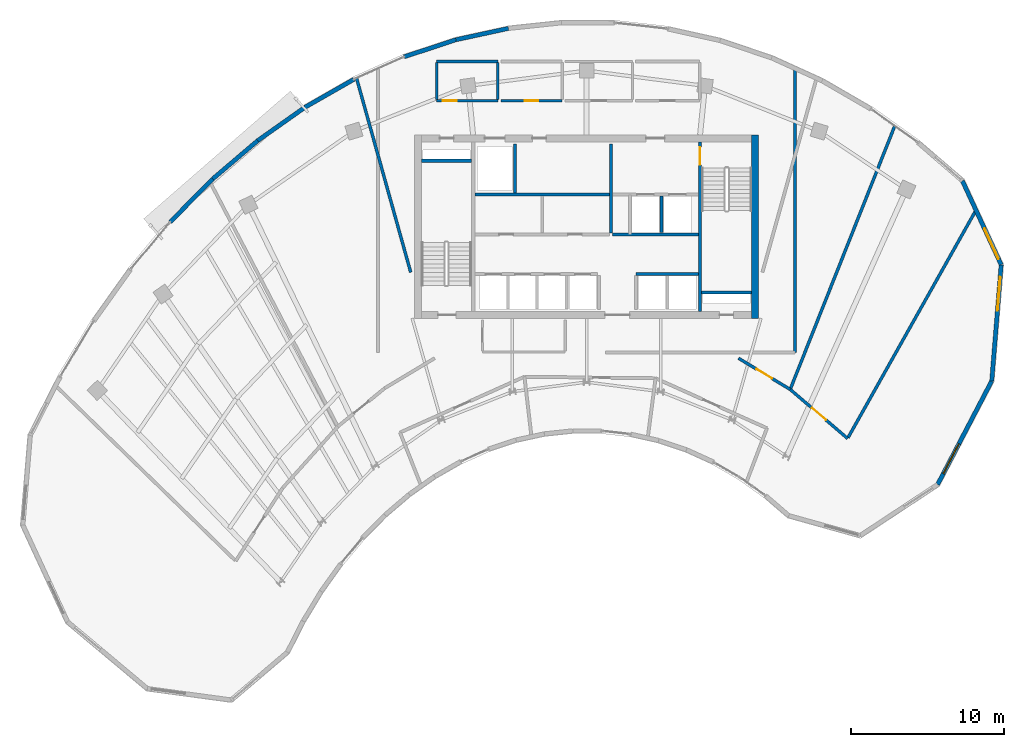
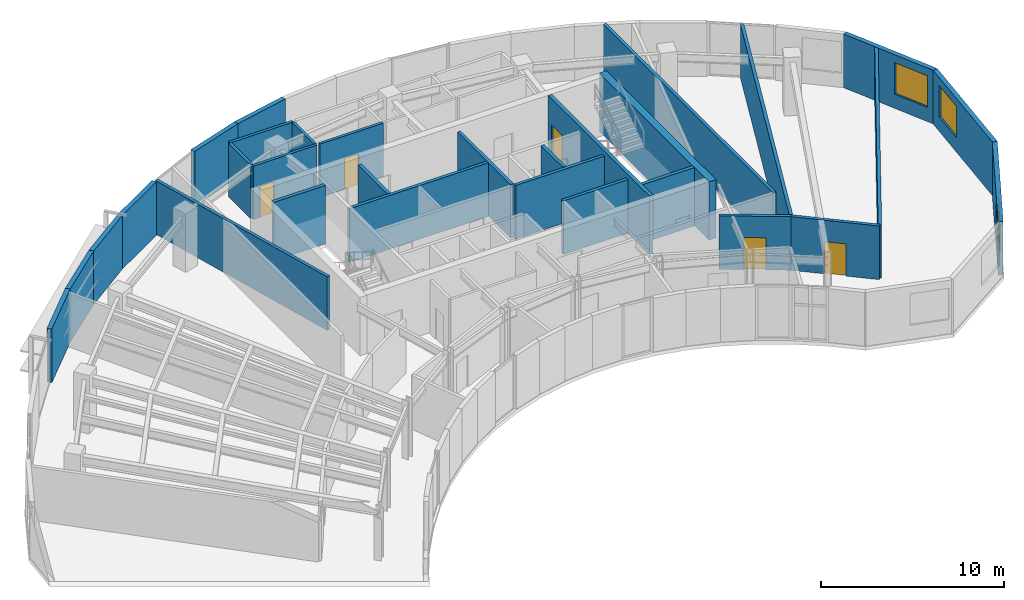
# One storey, part 9 of 12: 30 walls, 5 doors, 3 windows, 8 openings.
"""IFC4 building model written with IfcOpenShell, lengths in metres."""

from ifc_helpers import new_model, si_unit, direction, frame, frame_2d, origin, place, context, subcontext, project, spatial, rectangle, extrude, source, transform, mapped, material, layer, layer_set, type_object, type_shapes, element, fill, save


model = new_model("IFC4")

# Units and contexts
model_context = context("Model", 3, precision=1e-05, world=origin(), true_north=direction((0.0, 1.0)))
body_context = subcontext(model_context, "Body", "Model", "MODEL_VIEW")
ifc_project = project(units=[si_unit("LENGTHUNIT", "METRE"), si_unit("AREAUNIT", "SQUARE_METRE"), si_unit("VOLUMEUNIT", "CUBIC_METRE"), si_unit("PLANEANGLEUNIT", "RADIAN"), si_unit("MASSUNIT", "GRAM", prefix="KILO")], contexts=[model_context])

# Site, building, storey
site_placement = place(None, origin())
site = spatial("IfcSite", under=ifc_project, at=site_placement, CompositionType="ELEMENT")
building_placement = place(site_placement, origin())
building = spatial("IfcBuilding", under=site, at=building_placement, Name="Breltana Convention Tower", CompositionType="ELEMENT")
storey_placement = place(building_placement, frame((0.0, 0.0, 250.800048828125)))
storey = spatial("IfcBuildingStorey", under=building, at=storey_placement, Name="L61", CompositionType="ELEMENT", Elevation=250.800048828125)

# Walls
ifc_material_1 = material(Name="Concrete C50/60", Category="concrete")
ifc_layer_1 = layer(ifc_material_1, 0.39990234375, Name="Concrete C50/60")
ifc_layer_set_1 = layer_set([ifc_layer_1], Name="Concrete C50/60")
wall_type_1 = type_object("IfcWallType", Name="SW-CORE-400", PredefinedType="SHEAR", material=ifc_layer_set_1)
shared_shape_1 = source(origin(), body_context, "Body", "SweptSolid", [
    extrude(rectangle(XDim=3.27001953125, YDim=0.219970703125, at=frame_2d((1.635009765625, 0.0))), origin(), (0.0, 0.0, 1.0), 3.89990234375),
])
for number, where, z_axis, x_axis, name in (
    (1, (37.199951171875, 70.510009765625, 0.0), (0.0, 0.0, 1.0), (1.0, 0.0, 0.0), "L61 ST-1 Stairwell North Bearing Wall"),
    (2, (55.530029296875, 61.889892578125, 0.0), (0.0, 0.0, 1.0), (1.0, 0.0, 0.0), "L61 ST-2 Stairwell South Bearing Wall"),
):
    element("IfcWall", number, at=place(storey_placement, frame(where, z_axis=z_axis, x_axis=x_axis)), inside=storey, type_object=wall_type_1, Name=name, PredefinedType="SHEAR", context=body_context, shape_type="MappedRepresentation", body=[
        mapped(shared_shape_1, transform((0.0, 0.0, 0.0), scale=1.0)),
    ])
ifc_material_2 = material(Name="Concrete C60/75", Category="concrete")
ifc_layer_2 = layer(ifc_material_2, 0.449951171875, Name="Concrete C60/75")
ifc_layer_set_2 = layer_set([ifc_layer_2], Name="Concrete C60/75")
wall_type_2 = type_object("IfcWallType", Name="SW-CORE-450", PredefinedType="SHEAR", material=ifc_layer_set_2)
shared_shape_2 = source(origin(), body_context, "Body", "SweptSolid", [
    extrude(rectangle(XDim=12.0, YDim=0.449951171875, at=frame_2d((6.0, 0.0))), origin(), (0.0, 0.0, 1.0), 3.89990234375),
])
wall_1_placement = place(storey_placement, frame((59.02490234375, 60.199951171875, 0.0), z_axis=(0.0, 0.0, 1.0), x_axis=(0.0, 1.0, 0.0)))
element("IfcWall", 3, at=wall_1_placement, inside=storey, type_object=wall_type_2, Name="L61 East Core Shear Wall", PredefinedType="SHEAR", context=body_context, shape_type="MappedRepresentation", body=[
    mapped(shared_shape_2, transform((0.0, 0.0, 0.0), scale=1.0)),
])

# Wall, opening, door
shared_shape_3 = source(origin(), body_context, "Body", "SweptSolid", [
    extrude(rectangle(XDim=11.10009765625, YDim=0.219970703125, at=frame_2d((5.550048828125, 0.0))), origin(), (0.0, 0.0, 1.0), 3.89990234375),
])
wall_2_placement = place(storey_placement, frame((55.419921875, 60.64990234375, 0.0), z_axis=(0.0, 0.0, 1.0), x_axis=(0.0, 1.0, 0.0)))
wall_2 = element("IfcWall", 4, at=wall_2_placement, inside=storey, type_object=wall_type_1, Name="L61 Core East Stair Spine Wall", PredefinedType="SHEAR", context=body_context, shape_type="MappedRepresentation", body=[
    mapped(shared_shape_3, transform((0.0, 0.0, 0.0), scale=1.0)),
])
opening_1_placement = place(wall_2_placement, frame((9.594970703125, 0.0, 0.0)))
opening_1 = element("IfcOpeningElement", 5, at=opening_1_placement, cuts=wall_2, Name="Opening D-11", PredefinedType="OPENING", context=body_context, shape_type="SweptSolid", body=[
    extrude(rectangle(XDim=1.14990234375, YDim=2.14990234375, at=frame_2d((0.574951171875, 1.074951171875))), frame((0.0, 0.1201171875, 0.0), z_axis=(0.0, -1.0, 0.0), x_axis=(1.0, 0.0, 0.0)), (0.0, 0.0, 1.0), 0.239990234375),
])
ifc_material_3 = material(Name="Steel Stair Exit Door", Category="steel")
door_type_1 = type_object("IfcDoorType", Name="DR-FD120-1150", OperationType="NOTDEFINED", PredefinedType="DOOR", material=ifc_material_3)
shared_shape_4 = source(origin(), body_context, "Body", "SweptSolid", [
    extrude(rectangle(XDim=1.14990234375, YDim=2.14990234375, at=frame_2d((0.574951171875, 1.074951171875))), frame((0.0, 0.02490234375, 0.0), z_axis=(0.0, -1.0, 0.0), x_axis=(1.0, 0.0, 0.0)), (0.0, 0.0, 1.0), 0.050048828125),
])
type_shapes(door_type_1, [shared_shape_4])
door_1_placement = place(opening_1_placement, origin())
door_1 = element("IfcDoor", 6, at=door_1_placement, inside=storey, type_object=door_type_1, Name="L61 interior door D-L61-ST2", OperationType="SINGLE_SWING_LEFT", OverallHeight=2.14990234375, OverallWidth=1.14990234375, PredefinedType="DOOR", context=body_context, shape_type="MappedRepresentation", body=[
    mapped(shared_shape_4, transform((0.0, 0.0, 0.0), scale=1.0)),
])
fill(opening_1, door_1)

# Wall, opening, window
ifc_material_4 = material(Name="Limestone Buff Insulated Wall", Category="masonry")
ifc_layer_3 = layer(ifc_material_4, 0.280029296875, Name="Limestone Buff Insulated Wall")
ifc_layer_set_3 = layer_set([ifc_layer_3], Name="Limestone Buff Insulated Wall")
wall_type_3 = type_object("IfcWallType", Name="WL-EXT-NOSE-280", PredefinedType="SOLIDWALL", material=ifc_layer_set_3)
shared_shape_5 = source(origin(), body_context, "Body", "SweptSolid", [
    extrude(rectangle(XDim=6.049560546875, YDim=0.280029296875, at=frame_2d((3.02490234375, 0.0))), origin(), (0.0, 0.0, 1.0), 3.579833984375),
])
wall_3_placement = place(storey_placement, frame((72.57421875, 69.1982421875, 0.0), z_axis=(0.0, 0.0, 1.0), x_axis=(0.41942922905, -0.907788037935, 0.0)))
wall_3 = element("IfcWall", 7, at=wall_3_placement, inside=storey, type_object=wall_type_3, Name="L61 curved limestone nose wall E1", PredefinedType="SOLIDWALL", context=body_context, shape_type="MappedRepresentation", body=[
    mapped(shared_shape_5, transform((0.0, 0.0, 0.0), scale=1.0)),
])
opening_2_placement = place(wall_3_placement, frame((3.437255859375, 0.0, 0.949951171875)))
opening_2 = element("IfcOpeningElement", 8, at=opening_2_placement, cuts=wall_3, Name="Opening W-03", PredefinedType="OPENING", context=body_context, shape_type="SweptSolid", body=[
    extrude(rectangle(XDim=2.199951171875, YDim=2.10009765625, at=frame_2d((1.10009765625, 1.050048828125))), frame((0.0, 0.14990234375, 0.0), z_axis=(0.0, -1.0, 0.0), x_axis=(1.0, 0.0, 0.0)), (0.0, 0.0, 1.0), 0.300048828125),
])
ifc_material_5 = material(Name="Glass Low-E Insulated Window", Category="glass")
window_type = type_object("IfcWindowType", Name="WN-NOSE-2200X2100", PartitioningType="TRIPLE_PANEL_VERTICAL", PredefinedType="WINDOW", material=ifc_material_5)
shared_shape_6 = source(origin(), body_context, "Body", "SweptSolid", [
    extrude(rectangle(XDim=2.199951171875, YDim=2.10009765625, at=frame_2d((1.10009765625, 1.050048828125))), frame((0.0, 0.030029296875, 0.0), z_axis=(0.0, -1.0, 0.0), x_axis=(1.0, 0.0, 0.0)), (0.0, 0.0, 1.0), 0.06005859375),
])
type_shapes(window_type, [shared_shape_6])
window_1_placement = place(opening_2_placement, origin())
window_1 = element("IfcWindow", 9, at=window_1_placement, inside=storey, type_object=window_type, Name="L61 nose window E1", OverallHeight=2.10009765625, OverallWidth=2.199951171875, PartitioningType="TRIPLE_PANEL_VERTICAL", PredefinedType="WINDOW", context=body_context, shape_type="MappedRepresentation", body=[
    mapped(shared_shape_6, transform((0.0, 0.0, 0.0), scale=1.0)),
])
fill(opening_2, window_1)

shared_shape_7 = source(origin(), body_context, "Body", "SweptSolid", [
    extrude(rectangle(XDim=7.618408203125, YDim=0.280029296875, at=frame_2d((3.80908203125, 0.0))), origin(), (0.0, 0.0, 1.0), 3.579833984375),
])
wall_4_placement = place(storey_placement, frame((75.111572265625, 63.70654296875, 0.0), z_axis=(0.0, 0.0, 1.0), x_axis=(-0.080820171031, -0.996728699273, 0.0)))
wall_4 = element("IfcWall", 10, at=wall_4_placement, inside=storey, type_object=wall_type_3, Name="L61 curved limestone nose wall E2", PredefinedType="SOLIDWALL", context=body_context, shape_type="MappedRepresentation", body=[
    mapped(shared_shape_7, transform((0.0, 0.0, 0.0), scale=1.0)),
])
opening_3_placement = place(wall_4_placement, frame((0.8046875, 0.0, 0.949951171875)))
opening_3 = element("IfcOpeningElement", 11, at=opening_3_placement, cuts=wall_4, Name="Opening W-03", PredefinedType="OPENING", context=body_context, shape_type="SweptSolid", body=[
    extrude(rectangle(XDim=2.199951171875, YDim=2.10009765625, at=frame_2d((1.10009765625, 1.050048828125))), frame((0.0, 0.14990234375, 0.0), z_axis=(0.0, -1.0, 0.0), x_axis=(1.0, 0.0, 0.0)), (0.0, 0.0, 1.0), 0.300048828125),
])
window_2_placement = place(opening_3_placement, origin())
window_2 = element("IfcWindow", 12, at=window_2_placement, inside=storey, type_object=window_type, Name="L61 nose window E2", OverallHeight=2.10009765625, OverallWidth=2.199951171875, PartitioningType="TRIPLE_PANEL_VERTICAL", PredefinedType="WINDOW", context=body_context, shape_type="MappedRepresentation", body=[
    mapped(shared_shape_6, transform((0.0, 0.0, 0.0), scale=1.0)),
])
fill(opening_3, window_2)

shared_shape_8 = source(origin(), body_context, "Body", "SweptSolid", [
    extrude(rectangle(XDim=7.647705078125, YDim=0.280029296875, at=frame_2d((3.82373046875, 0.0))), origin(), (0.0, 0.0, 1.0), 3.579833984375),
])
wall_5_placement = place(storey_placement, frame((74.495849609375, 56.113037109375, 0.0), z_axis=(0.0, 0.0, 1.0), x_axis=(-0.463116873665, -0.886297219519, 0.0)))
wall_5 = element("IfcWall", 13, at=wall_5_placement, inside=storey, type_object=wall_type_3, Name="L61 curved limestone nose wall E3", PredefinedType="SOLIDWALL", context=body_context, shape_type="MappedRepresentation", body=[
    mapped(shared_shape_8, transform((0.0, 0.0, 0.0), scale=1.0)),
])
opening_4_placement = place(wall_5_placement, frame((4.6357421875, 0.0, 0.949951171875)))
opening_4 = element("IfcOpeningElement", 14, at=opening_4_placement, cuts=wall_5, Name="Opening W-03", PredefinedType="OPENING", context=body_context, shape_type="SweptSolid", body=[
    extrude(rectangle(XDim=2.199951171875, YDim=2.10009765625, at=frame_2d((1.10009765625, 1.050048828125))), frame((0.0, 0.14990234375, 0.0), z_axis=(0.0, -1.0, 0.0), x_axis=(1.0, 0.0, 0.0)), (0.0, 0.0, 1.0), 0.300048828125),
])
window_3_placement = place(opening_4_placement, origin())
window_3 = element("IfcWindow", 15, at=window_3_placement, inside=storey, type_object=window_type, Name="L61 nose window E3", OverallHeight=2.10009765625, OverallWidth=2.199951171875, PartitioningType="TRIPLE_PANEL_VERTICAL", PredefinedType="WINDOW", context=body_context, shape_type="MappedRepresentation", body=[
    mapped(shared_shape_6, transform((0.0, 0.0, 0.0), scale=1.0)),
])
fill(opening_4, window_3)

# Walls
shared_shape_9 = source(origin(), body_context, "Body", "SweptSolid", [
    extrude(rectangle(XDim=3.955078125, YDim=0.280029296875, at=frame_2d((1.9775390625, 0.0))), origin(), (0.0, 0.0, 1.0), 3.579833984375),
])
wall_6_placement = place(storey_placement, frame((20.7763671875, 66.50732421875, 0.0), z_axis=(0.0, 0.0, 1.0), x_axis=(0.702710517474, 0.711475880569, 0.0)))
element("IfcWall", 16, at=wall_6_placement, inside=storey, type_object=wall_type_3, Name="L61 curved limestone nose wall E21", PredefinedType="SOLIDWALL", context=body_context, shape_type="MappedRepresentation", body=[
    mapped(shared_shape_9, transform((0.0, 0.0, 0.0), scale=1.0)),
])
shared_shape_10 = source(origin(), body_context, "Body", "SweptSolid", [
    extrude(rectangle(XDim=3.8603515625, YDim=0.280029296875, at=frame_2d((1.93017578125, 0.0))), origin(), (0.0, 0.0, 1.0), 3.579833984375),
])
wall_7_placement = place(storey_placement, frame((23.5556640625, 69.3212890625, 0.0), z_axis=(0.0, 0.0, 1.0), x_axis=(0.761497547739, 0.648167790613, 0.0)))
element("IfcWall", 17, at=wall_7_placement, inside=storey, type_object=wall_type_3, Name="L61 curved limestone nose wall E22", PredefinedType="SOLIDWALL", context=body_context, shape_type="MappedRepresentation", body=[
    mapped(shared_shape_10, transform((0.0, 0.0, 0.0), scale=1.0)),
])
shared_shape_11 = source(origin(), body_context, "Body", "SweptSolid", [
    extrude(rectangle(XDim=3.770263671875, YDim=0.280029296875, at=frame_2d((1.88525390625, 0.0))), origin(), (0.0, 0.0, 1.0), 3.579833984375),
])
wall_8_placement = place(storey_placement, frame((26.495361328125, 71.823486328125, 0.0), z_axis=(0.0, 0.0, 1.0), x_axis=(0.817001958662, 0.576634892755, 0.0)))
element("IfcWall", 18, at=wall_8_placement, inside=storey, type_object=wall_type_3, Name="L61 curved limestone nose wall E23", PredefinedType="SOLIDWALL", context=body_context, shape_type="MappedRepresentation", body=[
    mapped(shared_shape_11, transform((0.0, 0.0, 0.0), scale=1.0)),
])
shared_shape_12 = source(origin(), body_context, "Body", "SweptSolid", [
    extrude(rectangle(XDim=3.68798828125, YDim=0.280029296875, at=frame_2d((1.843994140625, 0.0))), origin(), (0.0, 0.0, 1.0), 3.579833984375),
])
wall_9_placement = place(storey_placement, frame((29.57568359375, 73.99755859375, 0.0), z_axis=(0.0, 0.0, 1.0), x_axis=(0.867929289274, 0.496687778005, 0.0)))
element("IfcWall", 19, at=wall_9_placement, inside=storey, type_object=wall_type_3, Name="L61 curved limestone nose wall E24", PredefinedType="SOLIDWALL", context=body_context, shape_type="MappedRepresentation", body=[
    mapped(shared_shape_12, transform((0.0, 0.0, 0.0), scale=1.0)),
])
shared_shape_13 = source(origin(), body_context, "Body", "SweptSolid", [
    extrude(rectangle(XDim=3.556884765625, YDim=0.280029296875, at=frame_2d((1.7783203125, 0.0))), origin(), (0.0, 0.0, 1.0), 3.579833984375),
])
wall_10_placement = place(storey_placement, frame((36.07666015625, 77.306640625, 0.0), z_axis=(0.0, 0.0, 1.0), x_axis=(0.949687460385, 0.31319918197, 0.0)))
element("IfcWall", 20, at=wall_10_placement, inside=storey, type_object=wall_type_3, Name="L61 curved limestone nose wall E25", PredefinedType="SOLIDWALL", context=body_context, shape_type="MappedRepresentation", body=[
    mapped(shared_shape_13, transform((0.0, 0.0, 0.0), scale=1.0)),
])
shared_shape_14 = source(origin(), body_context, "Body", "SweptSolid", [
    extrude(rectangle(XDim=3.512939453125, YDim=0.280029296875, at=frame_2d((1.75634765625, 0.0))), origin(), (0.0, 0.0, 1.0), 3.579833984375),
])
wall_11_placement = place(storey_placement, frame((39.45458984375, 78.420654296875, 0.0), z_axis=(0.0, 0.0, 1.0), x_axis=(0.977366029072, 0.211555300611, 0.0)))
element("IfcWall", 21, at=wall_11_placement, inside=storey, type_object=wall_type_3, Name="L61 curved limestone nose wall E26", PredefinedType="SOLIDWALL", context=body_context, shape_type="MappedRepresentation", body=[
    mapped(shared_shape_14, transform((0.0, 0.0, 0.0), scale=1.0)),
])
ifc_material_6 = material(Name="Autoclaved Aerated Concrete Block", Category="concrete")
ifc_layer_4 = layer(ifc_material_6, 0.199951171875, Name="Autoclaved Aerated Concrete Block")
ifc_layer_set_4 = layer_set([ifc_layer_4], Name="Autoclaved Aerated Concrete Block")
wall_type_4 = type_object("IfcWallType", Name="WL-SHAFT-200", PredefinedType="SOLIDWALL", material=ifc_layer_set_4)
shared_shape_15 = source(origin(), body_context, "Body", "SweptSolid", [
    extrude(rectangle(XDim=5.6201171875, YDim=0.199951171875, at=frame_2d((2.81005859375, 0.0))), origin(), (0.0, 0.0, 1.0), 3.579833984375),
])
wall_12_placement = place(storey_placement, frame((49.699951171875, 65.679931640625, 0.0), z_axis=(0.0, 0.0, 1.0), x_axis=(1.0, 0.0, 0.0)))
element("IfcWall", 22, at=wall_12_placement, inside=storey, type_object=wall_type_4, Name="L61 interior partition W-L61-FL-S", PredefinedType="SOLIDWALL", context=body_context, shape_type="MappedRepresentation", body=[
    mapped(shared_shape_15, transform((0.0, 0.0, 0.0), scale=1.0)),
])
shared_shape_16 = source(origin(), body_context, "Body", "SweptSolid", [
    extrude(rectangle(XDim=5.800048828125, YDim=0.199951171875, at=frame_2d((2.89990234375, 0.0))), origin(), (0.0, 0.0, 1.0), 3.579833984375),
])
wall_13_placement = place(storey_placement, frame((49.60009765625, 65.800048828125, 0.0), z_axis=(0.0, 0.0, 1.0), x_axis=(0.0, 1.0, 0.0)))
element("IfcWall", 23, at=wall_13_placement, inside=storey, type_object=wall_type_4, Name="L61 interior partition W-L61-FFL-W", PredefinedType="SOLIDWALL", context=body_context, shape_type="MappedRepresentation", body=[
    mapped(shared_shape_16, transform((0.0, 0.0, 0.0), scale=1.0)),
])
shared_shape_17 = source(origin(), body_context, "Body", "SweptSolid", [
    extrude(rectangle(XDim=2.39990234375, YDim=0.199951171875, at=frame_2d((1.199951171875, 0.0))), origin(), (0.0, 0.0, 1.0), 3.579833984375),
])
wall_14_placement = place(storey_placement, frame((52.89990234375, 65.800048828125, 0.0), z_axis=(0.0, 0.0, 1.0), x_axis=(0.0, 1.0, 0.0)))
element("IfcWall", 24, at=wall_14_placement, inside=storey, type_object=wall_type_4, Name="L61 interior partition W-L61-FL-DIV", PredefinedType="SOLIDWALL", context=body_context, shape_type="MappedRepresentation", body=[
    mapped(shared_shape_17, transform((0.0, 0.0, 0.0), scale=1.0)),
])
shared_shape_18 = source(origin(), body_context, "Body", "SweptSolid", [
    extrude(rectangle(XDim=3.2001953125, YDim=0.199951171875, at=frame_2d((1.60009765625, 0.0))), origin(), (0.0, 0.0, 1.0), 3.579833984375),
])
wall_15_placement = place(storey_placement, frame((43.320068359375, 68.39990234375, 0.0), z_axis=(0.0, 0.0, 1.0), x_axis=(0.0, 1.0, 0.0)))
element("IfcWall", 25, at=wall_15_placement, inside=storey, type_object=wall_type_4, Name="L61 interior partition W-L61-SV-E", PredefinedType="SOLIDWALL", context=body_context, shape_type="MappedRepresentation", body=[
    mapped(shared_shape_18, transform((0.0, 0.0, 0.0), scale=1.0)),
])
shared_shape_19 = source(origin(), body_context, "Body", "SweptSolid", [
    extrude(rectangle(XDim=8.800048828125, YDim=0.199951171875, at=frame_2d((4.39990234375, 0.0))), origin(), (0.0, 0.0, 1.0), 3.579833984375),
])
wall_16_placement = place(storey_placement, frame((40.699951171875, 68.300048828125, 0.0), z_axis=(0.0, 0.0, 1.0), x_axis=(1.0, 0.0, 0.0)))
element("IfcWall", 26, at=wall_16_placement, inside=storey, type_object=wall_type_4, Name="L61 interior partition W-L61-SV-S", PredefinedType="SOLIDWALL", context=body_context, shape_type="MappedRepresentation", body=[
    mapped(shared_shape_19, transform((0.0, 0.0, 0.0), scale=1.0)),
])
shared_shape_20 = source(origin(), body_context, "Body", "SweptSolid", [
    extrude(rectangle(XDim=4.10009765625, YDim=0.199951171875, at=frame_2d((2.050048828125, 0.0))), origin(), (0.0, 0.0, 1.0), 3.579833984375),
])
wall_17_placement = place(storey_placement, frame((51.219970703125, 63.10009765625, 0.0), z_axis=(0.0, 0.0, 1.0), x_axis=(1.0, 0.0, 0.0)))
element("IfcWall", 27, at=wall_17_placement, inside=storey, type_object=wall_type_4, Name="L61 interior partition W-L61-SH-X-FRONT", PredefinedType="SOLIDWALL", context=body_context, shape_type="MappedRepresentation", body=[
    mapped(shared_shape_20, transform((0.0, 0.0, 0.0), scale=1.0)),
])

# Wall, opening, door
ifc_material_7 = material(Name="Cement Board Wet-Area Partition")
ifc_layer_5 = layer(ifc_material_7, 0.175048828125, Name="Cement Board Wet-Area Partition")
ifc_layer_set_5 = layer_set([ifc_layer_5], Name="Cement Board Wet-Area Partition")
wall_type_5 = type_object("IfcWallType", Name="WL-WET-175", PredefinedType="PARTITIONING", material=ifc_layer_set_5)
shared_shape_21 = source(origin(), body_context, "Body", "SweptSolid", [
    extrude(rectangle(XDim=4.0, YDim=0.175048828125, at=frame_2d((2.0, 0.0))), origin(), (0.0, 0.0, 1.0), 3.579833984375),
])
wall_18_placement = place(storey_placement, frame((38.199951171875, 74.43994140625, 0.0), z_axis=(0.0, 0.0, 1.0), x_axis=(1.0, 0.0, 0.0)))
wall_18 = element("IfcWall", 28, at=wall_18_placement, inside=storey, type_object=wall_type_5, Name="L61 interior partition W-L61-WCM-S", PredefinedType="PARTITIONING", context=body_context, shape_type="MappedRepresentation", body=[
    mapped(shared_shape_21, transform((0.0, 0.0, 0.0), scale=1.0)),
])
opening_5_placement = place(wall_18_placement, frame((0.39990234375, 0.0, 0.0)))
opening_5 = element("IfcOpeningElement", 29, at=opening_5_placement, cuts=wall_18, Name="Opening D-19", PredefinedType="OPENING", context=body_context, shape_type="SweptSolid", body=[
    extrude(rectangle(XDim=0.89990234375, YDim=2.080078125, at=frame_2d((0.449951171875, 1.0400390625))), frame((0.0, 0.09765625, 0.0), z_axis=(0.0, -1.0, 0.0), x_axis=(1.0, 0.0, 0.0)), (0.0, 0.0, 1.0), 0.195068359375),
])
ifc_material_8 = material(Name="Timber Moisture-Resistant Door", Category="wood")
door_type_2 = type_object("IfcDoorType", Name="DR-WC-900", OperationType="NOTDEFINED", PredefinedType="DOOR", material=ifc_material_8)
shared_shape_22 = source(origin(), body_context, "Body", "SweptSolid", [
    extrude(rectangle(XDim=0.89990234375, YDim=2.080078125, at=frame_2d((0.449951171875, 1.0400390625))), frame((0.0, 0.02490234375, 0.0), z_axis=(0.0, -1.0, 0.0), x_axis=(1.0, 0.0, 0.0)), (0.0, 0.0, 1.0), 0.050048828125),
])
type_shapes(door_type_2, [shared_shape_22])
door_2_placement = place(opening_5_placement, origin())
door_2 = element("IfcDoor", 30, at=door_2_placement, inside=storey, type_object=door_type_2, Name="L61 interior door D-L61-WCM", OperationType="SINGLE_SWING_LEFT", OverallHeight=2.080078125, OverallWidth=0.89990234375, PredefinedType="DOOR", context=body_context, shape_type="MappedRepresentation", body=[
    mapped(shared_shape_22, transform((0.0, 0.0, 0.0), scale=1.0)),
])
fill(opening_5, door_2)

wall_19_placement = place(storey_placement, frame((42.39990234375, 74.43994140625, 0.0), z_axis=(0.0, 0.0, 1.0), x_axis=(1.0, 0.0, 0.0)))
wall_19 = element("IfcWall", 31, at=wall_19_placement, inside=storey, type_object=wall_type_5, Name="L61 interior partition W-L61-WCF-S", PredefinedType="PARTITIONING", context=body_context, shape_type="MappedRepresentation", body=[
    mapped(shared_shape_21, transform((0.0, 0.0, 0.0), scale=1.0)),
])
opening_6_placement = place(wall_19_placement, frame((1.550048828125, 0.0, 0.0)))
opening_6 = element("IfcOpeningElement", 32, at=opening_6_placement, cuts=wall_19, Name="Opening D-19", PredefinedType="OPENING", context=body_context, shape_type="SweptSolid", body=[
    extrude(rectangle(XDim=0.89990234375, YDim=2.080078125, at=frame_2d((0.449951171875, 1.0400390625))), frame((0.0, 0.09765625, 0.0), z_axis=(0.0, -1.0, 0.0), x_axis=(1.0, 0.0, 0.0)), (0.0, 0.0, 1.0), 0.195068359375),
])
door_3_placement = place(opening_6_placement, origin())
door_3 = element("IfcDoor", 33, at=door_3_placement, inside=storey, type_object=door_type_2, Name="L61 interior door D-L61-WCF", OperationType="SINGLE_SWING_RIGHT", OverallHeight=2.080078125, OverallWidth=0.89990234375, PredefinedType="DOOR", context=body_context, shape_type="MappedRepresentation", body=[
    mapped(shared_shape_22, transform((0.0, 0.0, 0.0), scale=1.0)),
])
fill(opening_6, door_3)

# Walls
ifc_material_9 = material(Name="Moisture-Resistant Gypsum Chase Wall")
ifc_layer_6 = layer(ifc_material_9, 0.179931640625, Name="Moisture-Resistant Gypsum Chase Wall")
ifc_layer_set_6 = layer_set([ifc_layer_6], Name="Moisture-Resistant Gypsum Chase Wall")
wall_type_6 = type_object("IfcWallType", Name="WL-PLUMB-180", PredefinedType="PLUMBINGWALL", material=ifc_layer_set_6)
shared_shape_23 = source(origin(), body_context, "Body", "SweptSolid", [
    extrude(rectangle(XDim=4.0, YDim=0.179931640625, at=frame_2d((2.0, 0.0))), origin(), (0.0, 0.0, 1.0), 3.579833984375),
])
wall_20_placement = place(storey_placement, frame((38.199951171875, 77.0, 0.0), z_axis=(0.0, 0.0, 1.0), x_axis=(1.0, 0.0, 0.0)))
element("IfcWall", 34, at=wall_20_placement, inside=storey, type_object=wall_type_6, Name="L61 interior partition W-L61-WCM-N", PredefinedType="PLUMBINGWALL", context=body_context, shape_type="MappedRepresentation", body=[
    mapped(shared_shape_23, transform((0.0, 0.0, 0.0), scale=1.0)),
])
shared_shape_24 = source(origin(), body_context, "Body", "SweptSolid", [
    extrude(rectangle(XDim=2.402587890625, YDim=0.175048828125, at=frame_2d((1.201171875, 0.0))), origin(), (0.0, 0.0, 1.0), 3.579833984375),
])
for number, where, z_axis, x_axis, name in (
    (35, (38.199951171875, 74.518798828125, 0.0), (0.0, 0.0, 1.0), (0.0, 1.0, 0.0), "L61 interior partition W-L61-WCM-W"),
    (36, (42.199951171875, 74.518798828125, 0.0), (0.0, 0.0, 1.0), (0.0, 1.0, 0.0), "L61 interior partition W-L61-WCM-E"),
):
    element("IfcWall", number, at=place(storey_placement, frame(where, z_axis=z_axis, x_axis=x_axis)), inside=storey, type_object=wall_type_5, Name=name, PredefinedType="PARTITIONING", context=body_context, shape_type="MappedRepresentation", body=[
        mapped(shared_shape_24, transform((0.0, 0.0, 0.0), scale=1.0)),
    ])
ifc_material_10 = material(Name="Gypsum Acoustic Hotel Wall")
ifc_layer_7 = layer(ifc_material_10, 0.195068359375, Name="Gypsum Acoustic Hotel Wall")
ifc_layer_set_7 = layer_set([ifc_layer_7], Name="Gypsum Acoustic Hotel Wall")
wall_type_7 = type_object("IfcWallType", Name="WL-HOTEL-200", PredefinedType="PARTITIONING", material=ifc_layer_set_7)
shared_shape_25 = source(origin(), body_context, "Body", "SweptSolid", [
    extrude(rectangle(XDim=13.16943359375, YDim=0.195068359375, at=frame_2d((6.584716796875, 0.0))), origin(), (0.0, 0.0, 1.0), 3.579833984375),
])
wall_21_placement = place(storey_placement, frame((36.5, 63.2158203125, 0.0), z_axis=(0.0, 0.0, 1.0), x_axis=(-0.26875376985, 0.963208913576, 0.0)))
element("IfcWall", 37, at=wall_21_placement, inside=storey, type_object=wall_type_7, Name="L61 interior partition W-L61-EXWR2-RB", PredefinedType="PARTITIONING", context=body_context, shape_type="MappedRepresentation", body=[
    mapped(shared_shape_25, transform((0.0, 0.0, 0.0), scale=1.0)),
])

# Wall, opening, door
shared_shape_26 = source(origin(), body_context, "Body", "SweptSolid", [
    extrude(rectangle(XDim=3.95068359375, YDim=0.195068359375, at=frame_2d((1.975341796875, 0.0))), origin(), (0.0, 0.0, 1.0), 3.579833984375),
])
wall_22_placement = place(storey_placement, frame((57.931884765625, 57.595703125, 0.0), z_axis=(0.0, 0.0, 1.0), x_axis=(0.856137696849, -0.51674775668, 0.0)))
wall_22 = element("IfcWall", 38, at=wall_22_placement, inside=storey, type_object=wall_type_7, Name="L61 interior partition W-L61-EXER1-COR", PredefinedType="PARTITIONING", context=body_context, shape_type="MappedRepresentation", body=[
    mapped(shared_shape_26, transform((0.0, 0.0, 0.0), scale=1.0)),
])
opening_7_placement = place(wall_22_placement, frame((1.37548828125, 0.0, 0.0)))
opening_7 = element("IfcOpeningElement", 39, at=opening_7_placement, cuts=wall_22, Name="Opening D-10", PredefinedType="OPENING", context=body_context, shape_type="SweptSolid", body=[
    extrude(rectangle(XDim=1.199951171875, YDim=2.14990234375, at=frame_2d((0.60009765625, 1.074951171875))), frame((0.0, 0.107421875, 0.0), z_axis=(0.0, -1.0, 0.0), x_axis=(1.0, 0.0, 0.0)), (0.0, 0.0, 1.0), 0.215087890625),
])
ifc_material_11 = material(Name="Timber Oak Veneer Fire Door", Category="wood")
door_type_3 = type_object("IfcDoorType", Name="DR-INT-1200", OperationType="NOTDEFINED", PredefinedType="DOOR", material=ifc_material_11)
shared_shape_27 = source(origin(), body_context, "Body", "SweptSolid", [
    extrude(rectangle(XDim=1.199951171875, YDim=2.14990234375, at=frame_2d((0.60009765625, 1.074951171875))), frame((0.0, 0.02490234375, 0.0), z_axis=(0.0, -1.0, 0.0), x_axis=(1.0, 0.0, 0.0)), (0.0, 0.0, 1.0), 0.050048828125),
])
type_shapes(door_type_3, [shared_shape_27])
door_4_placement = place(opening_7_placement, origin())
door_4 = element("IfcDoor", 40, at=door_4_placement, inside=storey, type_object=door_type_3, Name="L61 interior door D-L61-EXER1", OperationType="SINGLE_SWING_RIGHT", OverallHeight=2.14990234375, OverallWidth=1.199951171875, PredefinedType="DOOR", context=body_context, shape_type="MappedRepresentation", body=[
    mapped(shared_shape_27, transform((0.0, 0.0, 0.0), scale=1.0)),
])
fill(opening_7, door_4)

# Wall
shared_shape_28 = source(origin(), body_context, "Body", "SweptSolid", [
    extrude(rectangle(XDim=18.470703125, YDim=0.195068359375, at=frame_2d((9.2353515625, 0.0))), origin(), (0.0, 0.0, 1.0), 3.579833984375),
])
wall_23_placement = place(storey_placement, frame((61.3330078125, 55.6015625, 0.0), z_axis=(0.0, 0.0, 1.0), x_axis=(0.368827756565, 0.929497760076, 0.0)))
element("IfcWall", 41, at=wall_23_placement, inside=storey, type_object=wall_type_7, Name="L61 interior partition W-L61-EXER1-RB", PredefinedType="PARTITIONING", context=body_context, shape_type="MappedRepresentation", body=[
    mapped(shared_shape_28, transform((0.0, 0.0, 0.0), scale=1.0)),
])

# Wall, opening, door
shared_shape_29 = source(origin(), body_context, "Body", "SweptSolid", [
    extrude(rectangle(XDim=4.934814453125, YDim=0.195068359375, at=frame_2d((2.46728515625, 0.0))), origin(), (0.0, 0.0, 1.0), 3.579833984375),
])
wall_24_placement = place(storey_placement, frame((61.314208984375, 55.55419921875, 0.0), z_axis=(0.0, 0.0, 1.0), x_axis=(0.760547222161, -0.649282621716, 0.0)))
wall_24 = element("IfcWall", 42, at=wall_24_placement, inside=storey, type_object=wall_type_7, Name="L61 interior partition W-L61-EXER2-COR", PredefinedType="PARTITIONING", context=body_context, shape_type="MappedRepresentation", body=[
    mapped(shared_shape_29, transform((0.0, 0.0, 0.0), scale=1.0)),
])
opening_8_placement = place(wall_24_placement, frame((1.867431640625, 0.0, 0.0)))
opening_8 = element("IfcOpeningElement", 43, at=opening_8_placement, cuts=wall_24, Name="Opening D-10", PredefinedType="OPENING", context=body_context, shape_type="SweptSolid", body=[
    extrude(rectangle(XDim=1.199951171875, YDim=2.14990234375, at=frame_2d((0.60009765625, 1.074951171875))), frame((0.0, 0.107421875, 0.0), z_axis=(0.0, -1.0, 0.0), x_axis=(1.0, 0.0, 0.0)), (0.0, 0.0, 1.0), 0.215087890625),
])
door_5_placement = place(opening_8_placement, origin())
door_5 = element("IfcDoor", 44, at=door_5_placement, inside=storey, type_object=door_type_3, Name="L61 interior door D-L61-EXER2", OperationType="SINGLE_SWING_LEFT", OverallHeight=2.14990234375, OverallWidth=1.199951171875, PredefinedType="DOOR", context=body_context, shape_type="MappedRepresentation", body=[
    mapped(shared_shape_27, transform((0.0, 0.0, 0.0), scale=1.0)),
])
fill(opening_8, door_5)

# Walls
shared_shape_30 = source(origin(), body_context, "Body", "SweptSolid", [
    extrude(rectangle(XDim=17.06396484375, YDim=0.195068359375, at=frame_2d((8.531982421875, 0.0))), origin(), (0.0, 0.0, 1.0), 3.579833984375),
])
wall_25_placement = place(storey_placement, frame((65.091552734375, 52.392822265625, 0.0), z_axis=(0.0, 0.0, 1.0), x_axis=(0.490167496501, 0.871628261, 0.0)))
element("IfcWall", 45, at=wall_25_placement, inside=storey, type_object=wall_type_7, Name="L61 interior partition W-L61-EXER2-RB", PredefinedType="PARTITIONING", context=body_context, shape_type="MappedRepresentation", body=[
    mapped(shared_shape_30, transform((0.0, 0.0, 0.0), scale=1.0)),
])
shared_shape_31 = source(origin(), body_context, "Body", "SweptSolid", [
    extrude(rectangle(XDim=18.5673828125, YDim=0.195068359375, at=frame_2d((9.28369140625, 0.0))), origin(), (0.0, 0.0, 1.0), 3.579833984375),
])
wall_26_placement = place(storey_placement, frame((61.639892578125, 57.9599609375, 0.0), z_axis=(0.0, 0.0, 1.0), x_axis=(0.0, 1.0, 0.0)))
element("IfcWall", 46, at=wall_26_placement, inside=storey, type_object=wall_type_7, Name="L61 interior partition W-L61-EXER-CL", PredefinedType="PARTITIONING", context=body_context, shape_type="MappedRepresentation", body=[
    mapped(shared_shape_31, transform((0.0, 0.0, 0.0), scale=1.0)),
])

save(model, "model.ifc")
